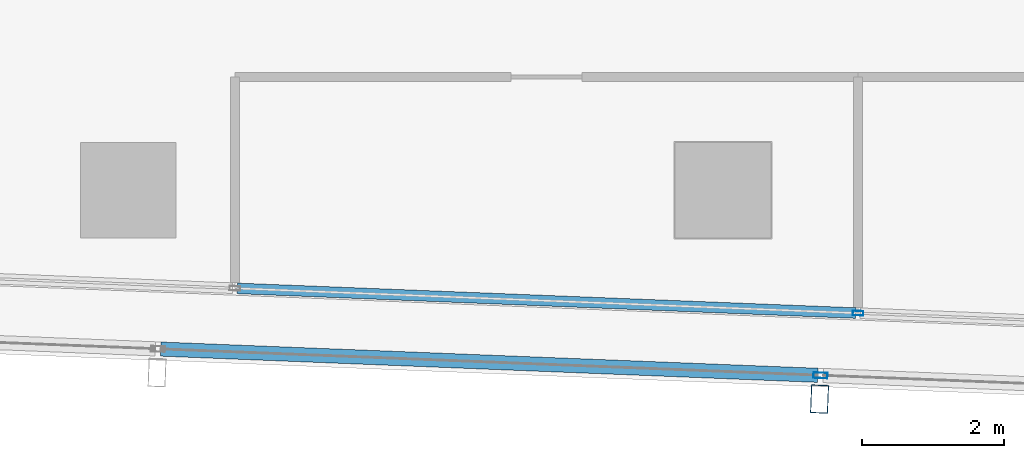
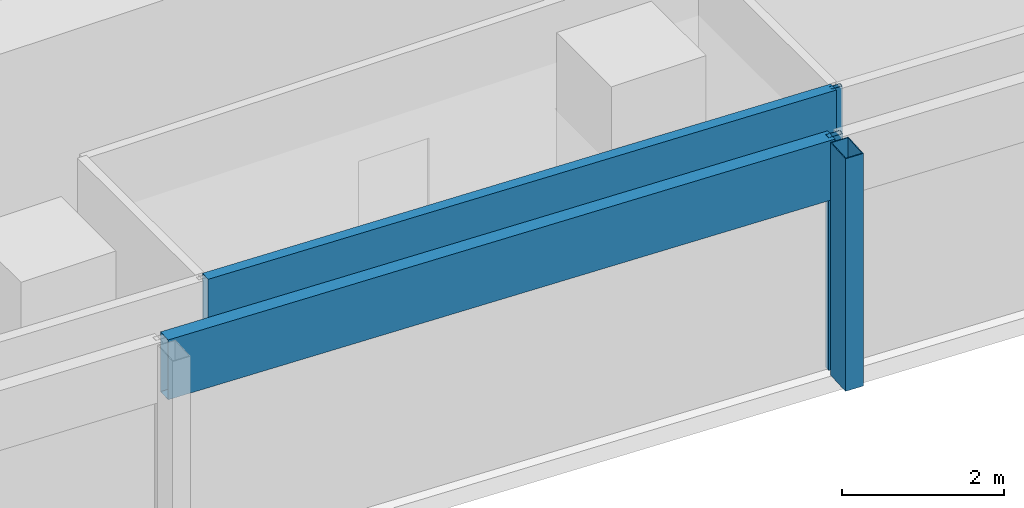
# One storey, part 7 of 39: 5 members, 2 elements without a shape of their own.
"""IFC4 building model written with IfcOpenShell, lengths in metres."""

from ifc_helpers import new_model, si_unit, direction, frame, origin, origin_2d, place, context, subcontext, project, spatial, hollow_rectangle, extrude, material, material_profile, profile_set, type_object, element, aggregate, save


model = new_model("IFC4")

# Units and contexts
model_context = context("Model", 3, precision=1e-05, world=origin(), true_north=direction((0.0, 1.0)))
body_context = subcontext(model_context, "Body", "Model", "MODEL_VIEW")
ifc_project = project(units=[si_unit("LENGTHUNIT", "METRE"), si_unit("AREAUNIT", "SQUARE_METRE"), si_unit("VOLUMEUNIT", "CUBIC_METRE"), si_unit("PLANEANGLEUNIT", "RADIAN"), si_unit("MASSUNIT", "GRAM", prefix="KILO")], contexts=[model_context])

# Site, building, storey
site_placement = place(None, origin())
site = spatial("IfcSite", under=ifc_project, at=site_placement, CompositionType="ELEMENT")
building_placement = place(site_placement, origin())
building = spatial("IfcBuilding", under=site, at=building_placement, Name="Rekha Terrace Tower", CompositionType="ELEMENT")
storey_placement = place(building_placement, frame((0.0, 0.0, 225.199951171875)))
storey = spatial("IfcBuildingStorey", under=building, at=storey_placement, Name="L57", CompositionType="ELEMENT", Elevation=225.199951171875)

# Curtain wall, member
ifc_material_1 = material(Name="Aluminium framing", Category="aluminium")
curtain_wall_type_1 = type_object("IfcCurtainWallType", Name="CW2 double skin outer glazing", PredefinedType="USERDEFINED", material=ifc_material_1)
curtain_wall_1_placement = place(storey_placement, origin())
curtain_wall_1 = element("IfcCurtainWall", 1, at=curtain_wall_1_placement, inside=storey, type_object=curtain_wall_type_1, Name="CW2 double skin outer glazing", ObjectType="DOUBLE SKIN OUTER GLAZING", PredefinedType="USERDEFINED")
ifc_material_2 = material(Name="Steel S355 with fluorocarbon finish", Category="steel")
ifc_material_profile_1 = material_profile(ifc_material_2, hollow_rectangle(XDim=0.25, YDim=0.39990234375, WallThickness=0.012451171875, at=origin_2d()), Name="RHS400x250x12.5")
ifc_profile_set_1 = profile_set([ifc_material_profile_1], Name="Steel S355 with fluorocarbon finish")
member_type_1 = type_object("IfcMemberType", Name="BL1 facade blade RHS 400 x 250", PredefinedType="USERDEFINED", material=ifc_profile_set_1)
member_1_placement = place(storey_placement, frame((34.9638671875, 13.84912109375, 0.0), z_axis=(0.0, 0.0, 1.0), x_axis=(0.999204797763, -0.039871946621, 0.0)))
member_1 = element("IfcMember", 2, at=member_1_placement, type_object=member_type_1, Name="Facade blade", ObjectType="FACADE BLADE", PredefinedType="USERDEFINED", context=body_context, shape_type="SweptSolid", body=[
    extrude(hollow_rectangle(XDim=0.25, YDim=0.39990234375, WallThickness=0.012451171875, at=origin_2d()), origin(), (0.0, 0.0, 1.0), 3.5),
])

# Curtain wall, members
curtain_wall_type_2 = type_object("IfcCurtainWallType", Name="CW1 double skin inner glazing", PredefinedType="USERDEFINED", material=ifc_material_1)
curtain_wall_2_placement = place(storey_placement, origin())
curtain_wall_2 = element("IfcCurtainWall", 3, at=curtain_wall_2_placement, inside=storey, type_object=curtain_wall_type_2, Name="CW1 double skin inner glazing", ObjectType="DOUBLE SKIN INNER GLAZING", PredefinedType="USERDEFINED")
ifc_material_3 = material(Name="Aluminium mullion section", Category="aluminium")
ifc_material_profile_2 = material_profile(ifc_material_3, hollow_rectangle(XDim=0.06494140625, YDim=0.14990234375, WallThickness=0.00390625, at=origin_2d()), Name="AL RHS 65x150")
ifc_profile_set_2 = profile_set([ifc_material_profile_2], Name="Aluminium mullion section")
member_type_2 = type_object("IfcMemberType", Name="CW1 mullion RHS 65 x 150", PredefinedType="MULLION", material=ifc_profile_set_2)
member_2_placement = place(storey_placement, frame((35.507568359375, 15.063232421875, 0.0), z_axis=(0.0, 0.0, 1.0), x_axis=(0.039872497061, 0.999204775798, 0.0)))
member_2 = element("IfcMember", 4, at=member_2_placement, type_object=member_type_2, Name="CW1 mullion 4", PredefinedType="MULLION", context=body_context, shape_type="SweptSolid", body=[
    extrude(hollow_rectangle(XDim=0.06494140625, YDim=0.14990234375, WallThickness=0.00390625, at=origin_2d()), origin(), (0.0, 0.0, 1.0), 3.5),
])
ifc_material_4 = material(Name="Insulated aluminium spandrel box", Category="aluminium")
ifc_material_profile_3 = material_profile(ifc_material_4, hollow_rectangle(XDim=0.14990234375, YDim=0.89990234375, WallThickness=0.0029296875, at=origin_2d()), Name="AL SPANDREL BOX 150x900")
ifc_profile_set_3 = profile_set([ifc_material_profile_3], Name="Insulated aluminium spandrel box")
member_type_3 = type_object("IfcMemberType", Name="CW1 spandrel transom 150 x 900", PredefinedType="USERDEFINED", material=ifc_profile_set_3)
member_3_placement = place(storey_placement, frame((26.73583984375, 15.413330078125, 3.050048828125), z_axis=(0.999205233714, -0.039861020051, 0.0), x_axis=(0.039861020051, 0.999205233714, 0.0)))
member_3 = element("IfcMember", 5, at=member_3_placement, type_object=member_type_3, Name="CW1 spandrel transom 3", ObjectType="TRANSOM", PredefinedType="USERDEFINED", context=body_context, shape_type="SweptSolid", body=[
    extrude(hollow_rectangle(XDim=0.14990234375, YDim=0.89990234375, WallThickness=0.0029296875, at=origin_2d()), origin(), (0.0, 0.0, 1.0), 8.74609375),
])
aggregate(curtain_wall_2, [member_2, member_3])

# Member
ifc_material_profile_4 = material_profile(ifc_material_3, hollow_rectangle(XDim=0.080078125, YDim=0.199951171875, WallThickness=0.00390625, at=origin_2d()), Name="AL RHS 80x200")
ifc_profile_set_4 = profile_set([ifc_material_profile_4], Name="Aluminium mullion section")
member_type_4 = type_object("IfcMemberType", Name="CW2 mullion RHS 80 x 200", PredefinedType="MULLION", material=ifc_profile_set_4)
member_4_placement = place(storey_placement, frame((34.97705078125, 14.183837890625, 0.0), z_axis=(0.0, 0.0, 1.0), x_axis=(0.039872497044, 0.999204775799, 0.0)))
member_4 = element("IfcMember", 6, at=member_4_placement, type_object=member_type_4, Name="CW2 mullion 4", PredefinedType="MULLION", context=body_context, shape_type="SweptSolid", body=[
    extrude(hollow_rectangle(XDim=0.080078125, YDim=0.199951171875, WallThickness=0.00390625, at=origin_2d()), origin(), (0.0, 0.0, 1.0), 3.5),
])

ifc_material_profile_5 = material_profile(ifc_material_4, hollow_rectangle(XDim=0.199951171875, YDim=0.89990234375, WallThickness=0.0029296875, at=origin_2d()), Name="AL SPANDREL BOX 200x900")
ifc_profile_set_5 = profile_set([ifc_material_profile_5], Name="Insulated aluminium spandrel box")
member_type_5 = type_object("IfcMemberType", Name="CW2 spandrel transom 200 x 900", PredefinedType="USERDEFINED", material=ifc_profile_set_5)
member_5_placement = place(storey_placement, frame((25.658447265625, 14.5556640625, 3.050048828125), z_axis=(0.999204356934, -0.039882992408, 0.0), x_axis=(0.039882992408, 0.999204356934, 0.0)))
member_5 = element("IfcMember", 7, at=member_5_placement, type_object=member_type_5, Name="CW2 spandrel transom 3", ObjectType="TRANSOM", PredefinedType="USERDEFINED", context=body_context, shape_type="SweptSolid", body=[
    extrude(hollow_rectangle(XDim=0.199951171875, YDim=0.89990234375, WallThickness=0.0029296875, at=origin_2d()), origin(), (0.0, 0.0, 1.0), 9.2861328125),
])

aggregate(curtain_wall_1, [member_4, member_5, member_1])

save(model, "model.ifc")
